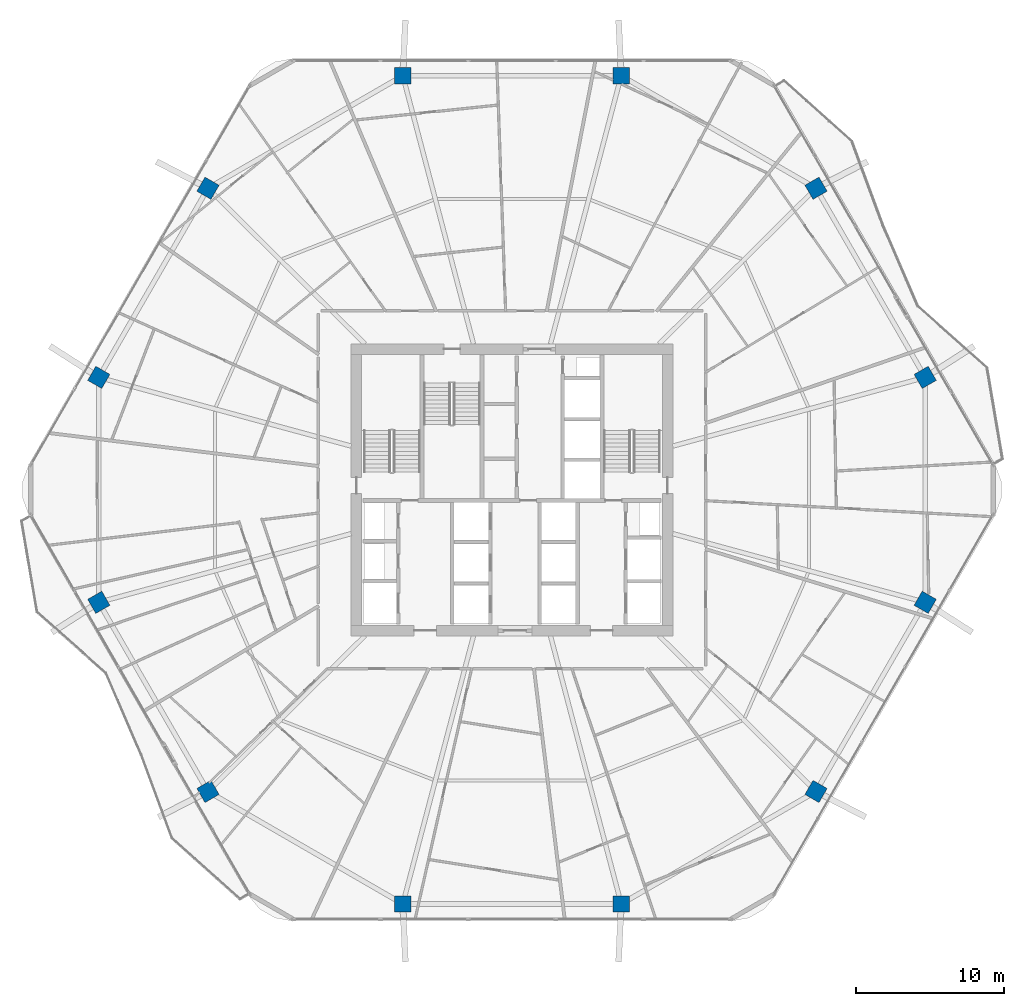
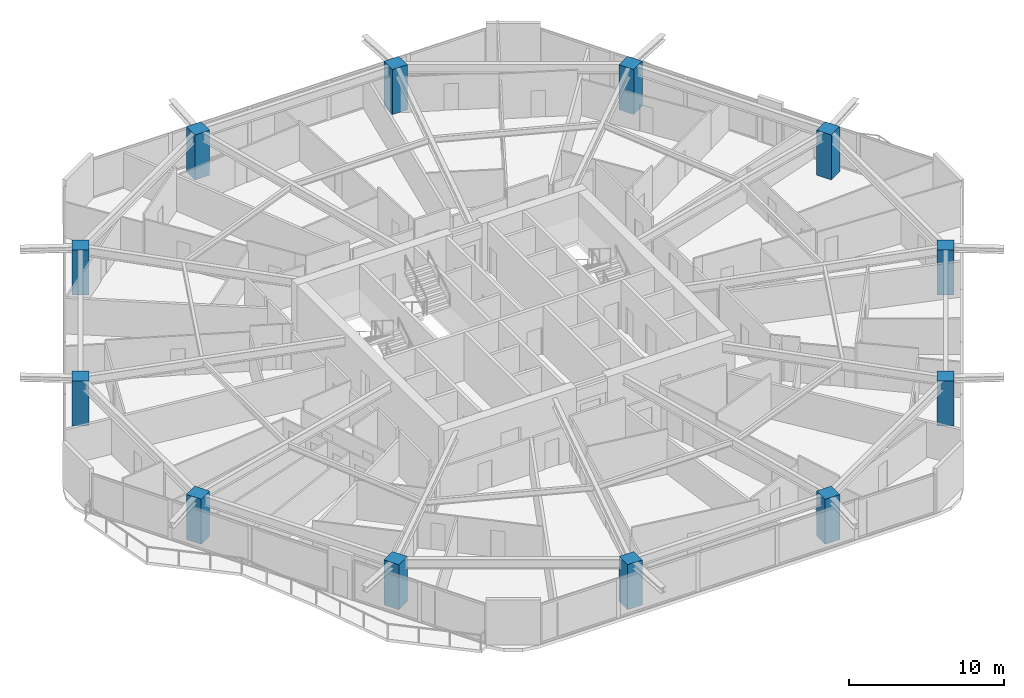
# One storey, part 1 of 32: 12 columns.
"""IFC4 building model written with IfcOpenShell, lengths in metres."""

from ifc_helpers import new_model, si_unit, direction, frame, origin, origin_2d, place, context, subcontext, project, spatial, rectangle, extrude, material, material_profile, profile_set, type_object, element, save


model = new_model("IFC4")

# Units and contexts
model_context = context("Model", 3, precision=1e-05, world=origin(), true_north=direction((0.0, 1.0)))
body_context = subcontext(model_context, "Body", "Model", "MODEL_VIEW")
ifc_project = project(units=[si_unit("LENGTHUNIT", "METRE"), si_unit("AREAUNIT", "SQUARE_METRE"), si_unit("VOLUMEUNIT", "CUBIC_METRE"), si_unit("PLANEANGLEUNIT", "RADIAN"), si_unit("MASSUNIT", "GRAM", prefix="KILO")], contexts=[model_context])

# Site, building, storey
site_placement = place(None, origin())
site = spatial("IfcSite", under=ifc_project, at=site_placement, CompositionType="ELEMENT")
building_placement = place(site_placement, origin())
building = spatial("IfcBuilding", under=site, at=building_placement, Name="Zuhravey Tower", CompositionType="ELEMENT")
storey_placement = place(building_placement, frame((0.0, 0.0, 111.39990234375)))
storey = spatial("IfcBuildingStorey", under=building, at=storey_placement, Name="L27", CompositionType="ELEMENT", Elevation=111.39990234375)

# Columns
ifc_material = material(Name="Concrete C60/75", Category="concrete")
ifc_material_profile = material_profile(ifc_material, rectangle(XDim=1.10009765625, YDim=1.10009765625, at=origin_2d()), Name="RC-1100x1100")
ifc_profile_set = profile_set([ifc_material_profile], Name="Concrete C60/75")
column_type = type_object("IfcColumnType", Name="Zone 1 Upper Column 1100x1100", PredefinedType="COLUMN", material=ifc_profile_set)
for number, where, z_axis, x_axis, name in (
    (1, (63.88916015625, 39.591552734375, 0.0), (0.0, 0.0, 1.0), (-0.5, 0.866025403784, 0.0), "L27 Perimeter Column PC01"),
    (2, (56.51904296875, 52.35693359375, 0.0), (0.0, 0.0, 1.0), (-0.5, 0.866025403784, 0.0), "L27 Perimeter Column PC02"),
    (3, (43.3701171875, 59.948486328125, 0.0), (0.0, 0.0, 1.0), (-1.0, 0.0, 0.0), "L27 Perimeter Column PC03"),
    (4, (28.6298828125, 59.948486328125, 0.0), (0.0, 0.0, 1.0), (-1.0, 0.0, 0.0), "L27 Perimeter Column PC04"),
    (5, (15.48095703125, 52.35693359375, 0.0), (0.0, 0.0, 1.0), (-0.5, -0.866025403784, 0.0), "L27 Perimeter Column PC05"),
    (6, (8.11083984375, 39.591552734375, 0.0), (0.0, 0.0, 1.0), (-0.5, -0.866025403784, 0.0), "L27 Perimeter Column PC06"),
    (7, (8.11083984375, 24.408447265625, 0.0), (0.0, 0.0, 1.0), (0.5, -0.866025403784, 0.0), "L27 Perimeter Column PC07"),
    (8, (15.48095703125, 11.64306640625, 0.0), (0.0, 0.0, 1.0), (0.5, -0.866025403784, 0.0), "L27 Perimeter Column PC08"),
    (9, (28.6298828125, 4.051513671875, 0.0), (0.0, 0.0, 1.0), (1.0, 0.0, 0.0), "L27 Perimeter Column PC09"),
    (10, (43.3701171875, 4.051513671875, 0.0), (0.0, 0.0, 1.0), (1.0, 0.0, 0.0), "L27 Perimeter Column PC10"),
    (11, (56.51904296875, 11.64306640625, 0.0), (0.0, 0.0, 1.0), (0.5, 0.866025403784, 0.0), "L27 Perimeter Column PC11"),
    (12, (63.88916015625, 24.408447265625, 0.0), (0.0, 0.0, 1.0), (0.5, 0.866025403784, 0.0), "L27 Perimeter Column PC12"),
):
    element("IfcColumn", number, at=place(storey_placement, frame(where, z_axis=z_axis, x_axis=x_axis)), inside=storey, type_object=column_type, Name=name, PredefinedType="COLUMN", context=body_context, shape_type="SweptSolid", body=[
        extrude(rectangle(XDim=1.10009765625, YDim=1.10009765625, at=origin_2d()), origin(), (0.0, 0.0, 1.0), 3.550048828125),
    ])

save(model, "model.ifc")
